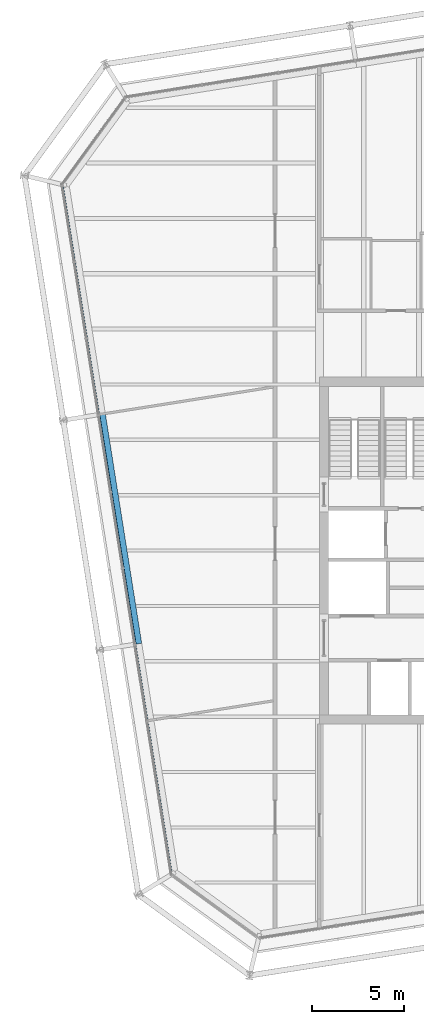
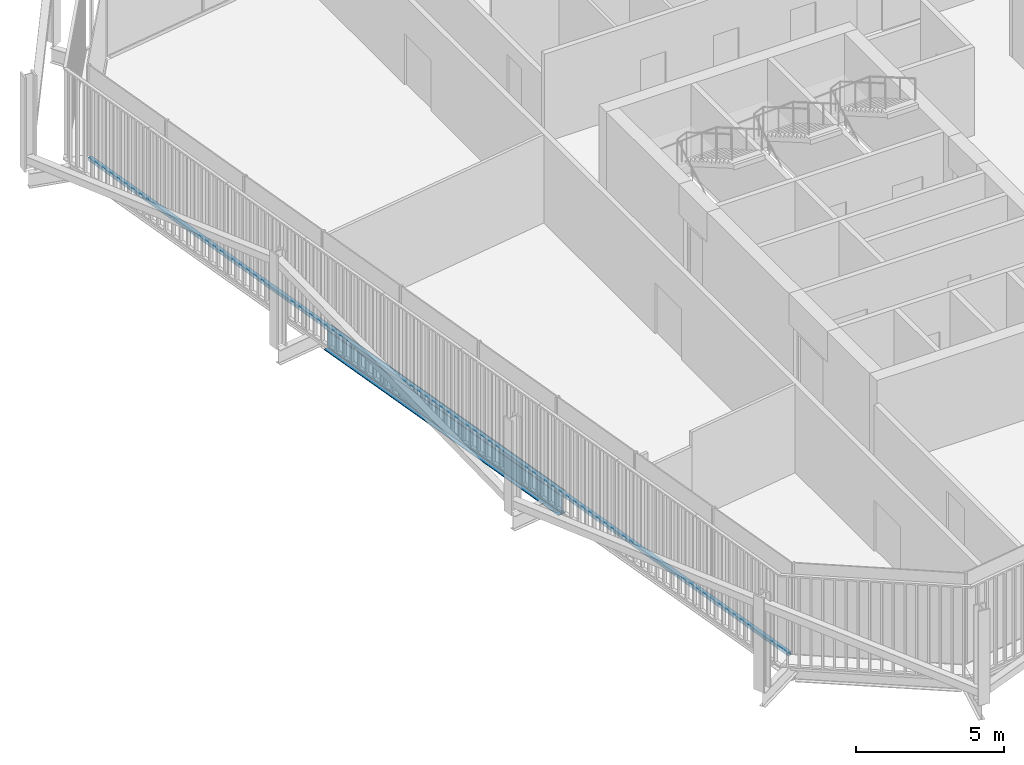
# One storey, part 6 of 21: 1 beam, 1 member, 1 element without a shape of its own.
"""IFC4 building model written with IfcOpenShell, lengths in metres."""

from ifc_helpers import new_model, si_unit, direction, frame, origin, origin_2d, place, context, subcontext, project, spatial, rectangle, i_section, extrude, material, layer, layer_set, material_profile, profile_set, type_object, element, aggregate, save


model = new_model("IFC4")

# Units and contexts
model_context = context("Model", 3, precision=1e-05, world=origin(), true_north=direction((0.0, 1.0)))
body_context = subcontext(model_context, "Body", "Model", "MODEL_VIEW")
ifc_project = project(units=[si_unit("LENGTHUNIT", "METRE"), si_unit("AREAUNIT", "SQUARE_METRE"), si_unit("VOLUMEUNIT", "CUBIC_METRE"), si_unit("PLANEANGLEUNIT", "RADIAN"), si_unit("MASSUNIT", "GRAM", prefix="KILO")], contexts=[model_context])

# Site, building, storey
site_placement = place(None, origin())
site = spatial("IfcSite", under=ifc_project, at=site_placement, CompositionType="ELEMENT")
building_placement = place(site_placement, origin())
building = spatial("IfcBuilding", under=site, at=building_placement, Name="Millrace Tower", CompositionType="ELEMENT")
storey_placement = place(building_placement, frame((0.0, 0.0, 263.0)))
storey = spatial("IfcBuildingStorey", under=building, at=storey_placement, Name="L60", CompositionType="ELEMENT", Elevation=263.0)

# Curtain wall, member
ifc_material_1 = material(Name="Aluminium and glass", Category="aluminium")
ifc_layer = layer(ifc_material_1, 0.14990234375)
ifc_layer_set = layer_set([ifc_layer], Name="Aluminium and glass")
curtain_wall_type = type_object("IfcCurtainWallType", Name="CW-1 office vision curtain wall", PredefinedType="NOTDEFINED", material=ifc_layer_set)
curtain_wall_placement = place(storey_placement, origin())
curtain_wall = element("IfcCurtainWall", 1, at=curtain_wall_placement, inside=storey, type_object=curtain_wall_type, Name="Curtain wall D-F08 L60", PredefinedType="NOTDEFINED")
ifc_material_2 = material(Name="Aluminium", Category="aluminium")
ifc_material_profile_1 = material_profile(ifc_material_2, rectangle(XDim=0.14990234375, YDim=0.139892578125, at=origin_2d()))
ifc_profile_set_1 = profile_set([ifc_material_profile_1], Name="Aluminium")
member_type = type_object("IfcMemberType", Name="CW-1 office vision curtain wall transom", PredefinedType="USERDEFINED", material=ifc_profile_set_1)
member_placement = place(storey_placement, frame((-28.331787109375, 19.708740234375, 0.070068359375), z_axis=(0.156432359726, -0.987688674042, 0.0), x_axis=(0.987688674042, 0.156432359726, 0.0)))
member = element("IfcMember", 2, at=member_placement, type_object=member_type, Name="CW1 transom D-F08.1", ObjectType="TRANSOM", PredefinedType="USERDEFINED", context=body_context, shape_type="SweptSolid", body=[
    extrude(rectangle(XDim=0.14990234375, YDim=0.139892578125, at=origin_2d()), origin(), (0.0, 0.0, 1.0), 37.599853515625),
])
aggregate(curtain_wall, [member])

# Beam
ifc_material_3 = material(Name="Steel ASTM A992 Grade 50", Category="steel")
ifc_material_profile_2 = material_profile(ifc_material_3, i_section(OverallWidth=0.307373046875, OverallDepth=0.927001953125, WebThickness=0.01953125, FlangeThickness=0.031982421875, FilletRadius=0.01904296875, at=origin_2d()))
ifc_profile_set_2 = profile_set([ifc_material_profile_2], Name="Steel ASTM A992 Grade 50")
beam_type = type_object("IfcBeamType", Name="Ring beam medium span W36x194", PredefinedType="SPANDREL", material=ifc_profile_set_2)
beam_placement = place(storey_placement, frame((-24.179443359375, -5.04638671875, -0.62353515625), z_axis=(-0.1564441342, 0.987686809102, 0.0), x_axis=(-0.987686809102, -0.1564441342, 0.0)))
element("IfcBeam", 3, at=beam_placement, inside=storey, type_object=beam_type, Name="RNG-D-L60-S1-02", PredefinedType="SPANDREL", context=body_context, shape_type="SweptSolid", body=[
    extrude(i_section(OverallWidth=0.307373046875, OverallDepth=0.927001953125, WebThickness=0.01953125, FlangeThickness=0.031982421875, FilletRadius=0.01904296875, at=origin_2d()), origin(), (0.0, 0.0, 1.0), 12.599853515625),
])

save(model, "model.ifc")
